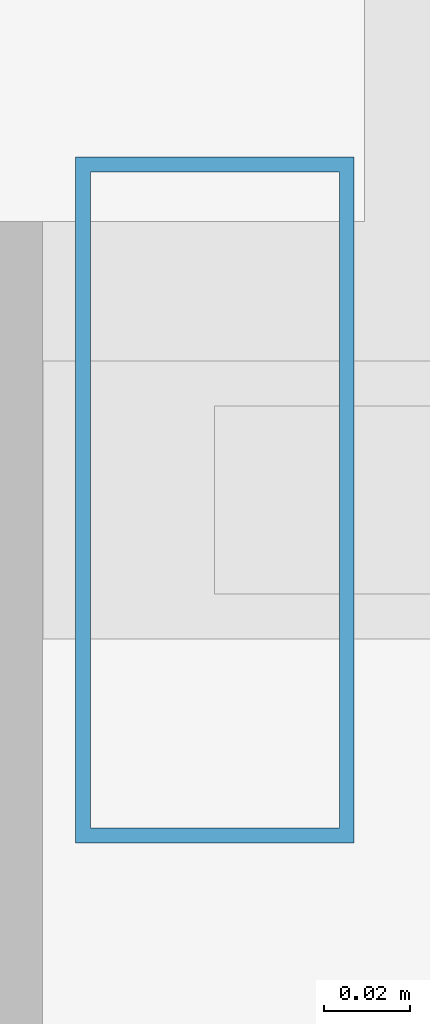
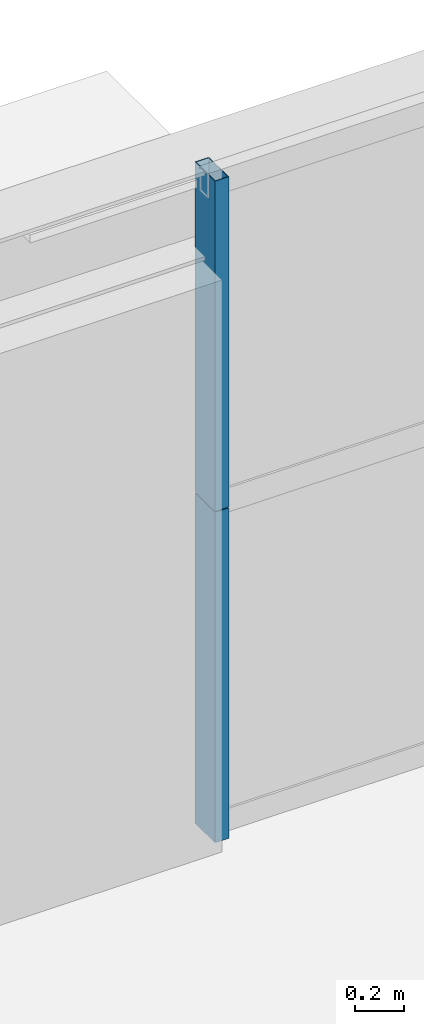
# One storey, part 25 of 38: 2 members, 1 element without a shape of its own.
"""IFC4 building model written with IfcOpenShell, lengths in metres."""

import ifcopenshell
import ifcopenshell.guid

model = None  # the IFC model being written
_history = None  # IfcOwnerHistory: only IFC2X3 demands one
_inside = {}  # id of a spatial element -> (the spatial element, [elements in it])
_under = {}  # id of a project, library or spatial element -> (it, [spatial elements below it])
_declared = {}  # id of a project -> (the project, [libraries it declares])
_typed = {}  # id of a type object -> (the type object, [elements of that type])
_made_of = {}  # id of a material, layer set ... -> (it, [elements and type objects made of it])


def new_model(schema):
    """Start an empty IFC model of exactly this schema.

    Asked for "IFC4X3", IfcOpenShell would pick the latest addendum, in which some entities
    have other attributes; the version numbers below select the first issue.
    IFC2X3 requires an IfcOwnerHistory on every rooted entity: one is made here for all.
    """
    global model, _history
    if schema == "IFC4X3":
        model = ifcopenshell.file(schema_version=(4, 3, 0, 0))
    else:
        model = ifcopenshell.file(schema=schema)
    _inside.clear()
    _under.clear()
    _declared.clear()
    _typed.clear()
    _made_of.clear()
    _history = None
    if model.schema == "IFC2X3":
        org = make("IfcOrganization", Name="unknown")
        user = make(
            "IfcPersonAndOrganization",
            ThePerson=make("IfcPerson", FamilyName="unknown"),
            TheOrganization=org,
        )
        app = make(
            "IfcApplication",
            ApplicationDeveloper=org,
            Version="unknown",
            ApplicationFullName="unknown",
            ApplicationIdentifier="unknown",
        )
        _history = make(
            "IfcOwnerHistory",
            OwningUser=user,
            OwningApplication=app,
            ChangeAction="ADDED",
            CreationDate=0,
        )
    return model


def make(cls, **values):
    """One entity of the class cls with the attributes given. An attribute that is None is left unset."""
    return model.create_entity(
        cls, **{name: value for name, value in values.items() if value is not None}
    )


def rooted(cls, **values):
    """An entity with a GlobalId (a new one), such as an element, a storey or a relation."""
    return make(cls, GlobalId=ifcopenshell.guid.new(), OwnerHistory=_history, **values)


def si_unit(unit_type, name, prefix=None):
    """IfcSIUnit, for example si_unit("LENGTHUNIT", "METRE", prefix="MILLI")."""
    return make("IfcSIUnit", UnitType=unit_type, Prefix=prefix, Name=name)


def assignment(units):
    """IfcUnitAssignment: the units of a project."""
    return None if units is None else make("IfcUnitAssignment", Units=units)


def point(xyz):
    """IfcCartesianPoint."""
    return None if xyz is None else make("IfcCartesianPoint", Coordinates=xyz)


def direction(xyz):
    """IfcDirection."""
    return None if xyz is None else make("IfcDirection", DirectionRatios=xyz)


def frame(location, z_axis=None, x_axis=None):
    """IfcAxis2Placement3D, a coordinate frame: its origin and axes. An axis left out is left unset."""
    return make(
        "IfcAxis2Placement3D",
        Location=point(location),
        Axis=direction(z_axis),
        RefDirection=direction(x_axis),
    )


def frame_2d(location, x_axis=None):
    """IfcAxis2Placement2D, a coordinate frame in the plane: its origin and x axis."""
    return make(
        "IfcAxis2Placement2D", Location=point(location), RefDirection=direction(x_axis)
    )


def origin():
    """The frame at (0, 0, 0) with its axes left unset."""
    return frame((0.0, 0.0, 0.0))


def origin_2d():
    """The frame at (0, 0) in the plane with its x axis left unset."""
    return frame_2d((0.0, 0.0))


def place(relative_to, where):
    """IfcLocalPlacement: puts the frame where relative to a parent placement (None: the world)."""
    return make(
        "IfcLocalPlacement", PlacementRelTo=relative_to, RelativePlacement=where
    )


def context(
    kind, dimensions, precision=None, world=None, true_north=None, identifier=None
):
    """IfcGeometricRepresentationContext, for example the 3D "Model" context."""
    return make(
        "IfcGeometricRepresentationContext",
        ContextIdentifier=identifier,
        ContextType=kind,
        CoordinateSpaceDimension=dimensions,
        Precision=precision,
        WorldCoordinateSystem=world,
        TrueNorth=true_north,
    )


def subcontext(parent, identifier, kind, view, scale=None):
    """IfcGeometricRepresentationSubContext, for example "Body" below "Model"."""
    return make(
        "IfcGeometricRepresentationSubContext",
        ContextIdentifier=identifier,
        ContextType=kind,
        ParentContext=parent,
        TargetScale=scale,
        TargetView=view,
    )


def project(units=None, contexts=None):
    """IfcProject with its units and contexts."""
    return rooted(
        "IfcProject",
        Name="project",
        RepresentationContexts=contexts,
        UnitsInContext=assignment(units),
    )


def spatial(cls, under=None, at=None, **own):
    """A site, building, storey or space (cls), placed at a placement, below another one or the project."""
    s = rooted(cls, ObjectPlacement=at, **own)
    if under is not None:
        _under.setdefault(under.id(), (under, []))[1].append(s)
    return s


def profile(cls, at=None, kind="AREA", **sizes):
    """A parametric profile (cls). Its sizes go by their IFC names, for example OverallWidth=200.0."""
    return make(cls, ProfileType=kind, Position=at, **sizes)


def hollow_rectangle(**sizes):
    """IfcRectangleHollowProfileDef."""
    return profile("IfcRectangleHollowProfileDef", **sizes)


def extrude(swept, where, along, depth):
    """IfcExtrudedAreaSolid: the profile swept, set in the frame where, extruded along a direction by depth."""
    return make(
        "IfcExtrudedAreaSolid",
        SweptArea=swept,
        Position=where,
        ExtrudedDirection=direction(along),
        Depth=depth,
    )


def shape(context_of_items, identifier, shape_type, items):
    """IfcShapeRepresentation: the items that make up one representation, for example the "Body"."""
    return make(
        "IfcShapeRepresentation",
        ContextOfItems=context_of_items,
        RepresentationIdentifier=identifier,
        RepresentationType=shape_type,
        Items=items,
    )


def source(mapping_origin, context_of_items, identifier, shape_type, items):
    """IfcRepresentationMap: a shape defined once, which mapped items show again and again."""
    return make(
        "IfcRepresentationMap",
        MappingOrigin=mapping_origin,
        MappedRepresentation=shape(context_of_items, identifier, shape_type, items),
    )


def transform(
    local_origin,
    x_axis=None,
    y_axis=None,
    z_axis=None,
    scale=None,
    scale2=None,
    scale3=None,
    uniform=True,
):
    """IfcCartesianTransformationOperator3D, or its non-uniform kind. x_axis, y_axis, z_axis: its Axis1, 2, 3."""
    if uniform:
        return make(
            "IfcCartesianTransformationOperator3D",
            Axis1=direction(x_axis),
            Axis2=direction(y_axis),
            LocalOrigin=point(local_origin),
            Scale=scale,
            Axis3=direction(z_axis),
        )
    return make(
        "IfcCartesianTransformationOperator3DnonUniform",
        Axis1=direction(x_axis),
        Axis2=direction(y_axis),
        LocalOrigin=point(local_origin),
        Scale=scale,
        Axis3=direction(z_axis),
        Scale2=scale2,
        Scale3=scale3,
    )


def mapped(mapping_source, mapping_target):
    """IfcMappedItem: shows the shape of a source again, moved by a transform."""
    return make(
        "IfcMappedItem", MappingSource=mapping_source, MappingTarget=mapping_target
    )


def material(Name=None, Category=None):
    """IfcMaterial."""
    return make("IfcMaterial", Name=Name, Category=Category)


def layer(
    of_material, thickness, ventilated=None, Name=None, Category=None, Priority=None
):
    """IfcMaterialLayer: one layer of a wall or slab, of a material (None: an air gap)."""
    return make(
        "IfcMaterialLayer",
        Material=of_material,
        LayerThickness=thickness,
        IsVentilated=ventilated,
        Name=Name,
        Category=Category,
        Priority=Priority,
    )


def layer_set(layers, Name=None):
    """IfcMaterialLayerSet."""
    return make("IfcMaterialLayerSet", MaterialLayers=layers, LayerSetName=Name)


def material_profile(
    of_material, cross_section, Name=None, Category=None, Priority=None
):
    """IfcMaterialProfile: a cross section and its material."""
    return make(
        "IfcMaterialProfile",
        Name=Name,
        Material=of_material,
        Profile=cross_section,
        Priority=Priority,
        Category=Category,
    )


def profile_set(profiles, Name=None, composite=None):
    """IfcMaterialProfileSet."""
    return make(
        "IfcMaterialProfileSet",
        Name=Name,
        MaterialProfiles=profiles,
        CompositeProfile=composite,
    )


def made_of(thing, what):
    """Note that an element or type object is made of a material, layer set ...; save() writes the relation."""
    if what is not None:
        _made_of.setdefault(what.id(), (what, []))[1].append(thing)
    return thing


def type_object(cls, material=None, **own):
    """A type object (cls), such as IfcWallType, which elements share."""
    return made_of(rooted(cls, **own), material)


def element(
    cls,
    number,
    at=None,
    inside=None,
    cuts=None,
    type_object=None,
    material=None,
    context=None,
    identifier="Body",
    shape_type=None,
    held_by="IfcProductDefinitionShape",
    body=None,
    shapes=None,
    **own,
):
    """One element of the class cls, such as IfcWall. Its Tag is "e" and its number.

    at: its placement. inside: the storey or other place that contains it. cuts: it is an
    opening in that element (IfcRelVoidsElement). A single representation is given by context,
    identifier, shape_type and body (its items); several are given by shapes. held_by: the class
    of the entity that holds the representations. save() writes the other relations.
    """
    e = rooted(cls, Tag="e%d" % number, ObjectPlacement=at, **own)
    if body is not None:
        shapes = [shape(context, identifier, shape_type, body)]
    if shapes is not None:
        e.Representation = make(held_by, Representations=shapes)
    if inside is not None:
        _inside.setdefault(inside.id(), (inside, []))[1].append(e)
    if cuts is not None:
        rooted(
            "IfcRelVoidsElement", RelatingBuildingElement=cuts, RelatedOpeningElement=e
        )
    if type_object is not None:
        _typed.setdefault(type_object.id(), (type_object, []))[1].append(e)
    return made_of(e, material)


def aggregate(whole, parts):
    """IfcRelAggregates: a whole, such as a stair, and the parts it consists of."""
    return rooted("IfcRelAggregates", RelatingObject=whole, RelatedObjects=parts)


def save(model, path):
    """Write the relations noted so far, then the file.

    IfcRelAggregates (storeys below a building ...), IfcRelContainedInSpatialStructure (elements
    in a storey), IfcRelDefinesByType, IfcRelAssociatesMaterial and IfcRelDeclares: one each for
    every whole, place, type object, material and project.
    """
    for whole, parts in _under.values():
        aggregate(whole, parts)
    for where, things in _inside.values():
        rooted(
            "IfcRelContainedInSpatialStructure",
            RelatedElements=things,
            RelatingStructure=where,
        )
    for kind, things in _typed.values():
        rooted("IfcRelDefinesByType", RelatedObjects=things, RelatingType=kind)
    for what, things in _made_of.values():
        rooted("IfcRelAssociatesMaterial", RelatedObjects=things, RelatingMaterial=what)
    for by, libraries in _declared.values():
        rooted("IfcRelDeclares", RelatingContext=by, RelatedDefinitions=libraries)
    model.write(path)


model = new_model("IFC4")

# Units and contexts
model_context = context("Model", 3, precision=1e-05, world=origin(), true_north=direction((0.0, 1.0)))
body_context = subcontext(model_context, "Body", "Model", "MODEL_VIEW")
ifc_project = project(units=[si_unit("LENGTHUNIT", "METRE"), si_unit("AREAUNIT", "SQUARE_METRE"), si_unit("VOLUMEUNIT", "CUBIC_METRE"), si_unit("PLANEANGLEUNIT", "RADIAN"), si_unit("MASSUNIT", "GRAM", prefix="KILO"), si_unit("THERMODYNAMICTEMPERATUREUNIT", "KELVIN"), si_unit("POWERUNIT", "WATT")], contexts=[model_context])

# Site, building, storey
site_placement = place(None, origin())
site = spatial("IfcSite", under=ifc_project, at=site_placement, CompositionType="ELEMENT")
building_placement = place(site_placement, origin())
building = spatial("IfcBuilding", under=site, at=building_placement, Name="Yuzanri Waterfront Tower", CompositionType="ELEMENT")
storey_placement = place(building_placement, frame((0.0, 0.0, 202.0)))
storey = spatial("IfcBuildingStorey", under=building, at=storey_placement, Name="L53", CompositionType="ELEMENT", Elevation=202.0)

# Curtain wall, members
ifc_material_1 = material(Name="Anodized Architectural Bronze", Category="metal")
ifc_layer = layer(ifc_material_1, 0.159912109375)
ifc_layer_set = layer_set([ifc_layer], Name="Anodized Architectural Bronze")
curtain_wall_type = type_object("IfcCurtainWallType", Name="Anodized Bronze Mid-Rise Residential Acoustic Unitized Curtain Wall 7200", PredefinedType="NOTDEFINED", material=ifc_layer_set)
curtain_wall_placement = place(storey_placement, origin())
curtain_wall = element("IfcCurtainWall", 1, at=curtain_wall_placement, inside=storey, type_object=curtain_wall_type, Name="L53 Curtain Wall CW-L53-NL", PredefinedType="NOTDEFINED")
ifc_material_2 = material(Name="Anodized Architectural Bronze", Category="metal")
ifc_material_profile = material_profile(ifc_material_2, hollow_rectangle(XDim=0.06494140625, YDim=0.159912109375, WallThickness=0.00341796875, at=origin_2d()), Name="CWM 65x160")
ifc_profile_set = profile_set([ifc_material_profile], Name="Anodized Architectural Bronze")
member_type = type_object("IfcMemberType", Name="Anodized Bronze Upper-Zone Curtain-Wall Mullion 65x160", PredefinedType="MULLION", material=ifc_profile_set)
shared_shape = source(origin(), body_context, "Body", "SweptSolid", [
    extrude(hollow_rectangle(XDim=0.06494140625, YDim=0.159912109375, WallThickness=0.00341796875, at=origin_2d()), origin(), (0.0, 0.0, 1.0), 1.637939453125),
])
member_1_placement = place(storey_placement, frame((22.2900390625, 47.75, 0.0), z_axis=(0.0, 0.0, 1.0), x_axis=(1.0, 0.0, 0.0)))
member_1 = element("IfcMember", 2, at=member_1_placement, type_object=member_type, Name="CW-L53-NL Lower Mullion 00", PredefinedType="MULLION", context=body_context, shape_type="MappedRepresentation", body=[
    mapped(shared_shape, transform((0.0, 0.0, 0.0), scale=1.0)),
])
member_2_placement = place(storey_placement, frame((22.2900390625, 47.75, 1.64208984375), z_axis=(0.0, 0.0, 1.0), x_axis=(1.0, 0.0, 0.0)))
member_2 = element("IfcMember", 3, at=member_2_placement, type_object=member_type, Name="CW-L53-NL Upper Mullion 00", PredefinedType="MULLION", context=body_context, shape_type="MappedRepresentation", body=[
    mapped(shared_shape, transform((0.0, 0.0, 0.0), scale=1.0)),
])
aggregate(curtain_wall, [member_1, member_2])

save(model, "model.ifc")
